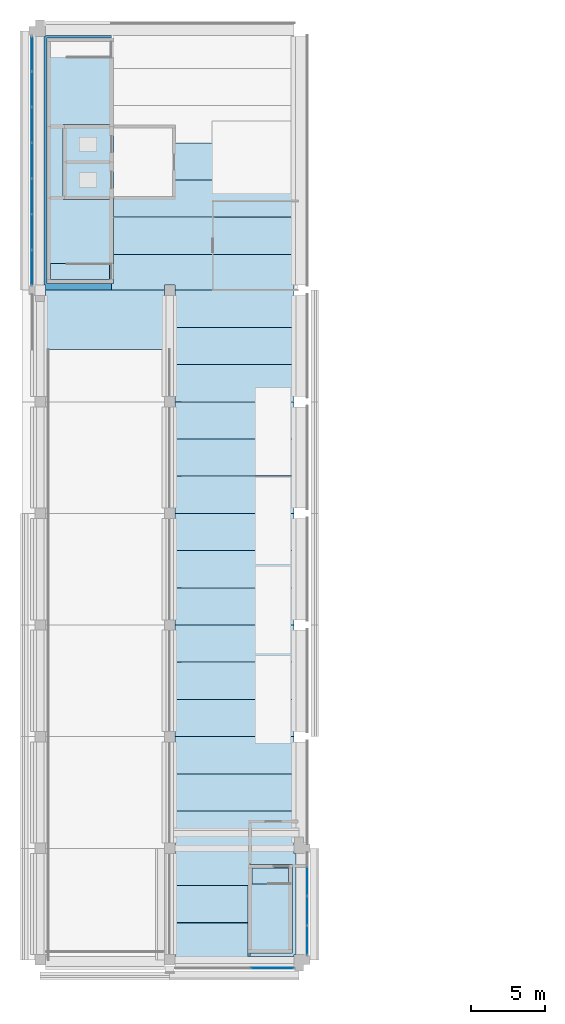
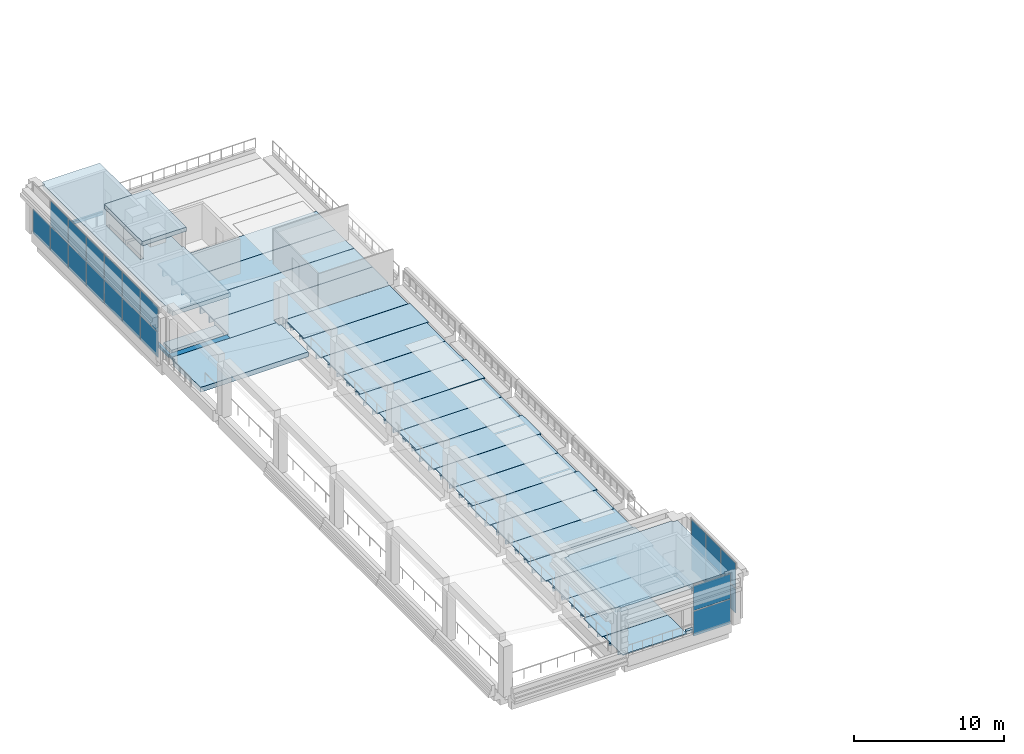
# One storey, part 6 of 17: 30 slabs, 21 plates, 3 elements without a shape of their own.
"""IFC4 building model written with IfcOpenShell, lengths in metres."""

from ifc_helpers import new_model, si_unit, direction, frame, origin, origin_2d, place, context, subcontext, project, spatial, polyline, rectangle, outline, extrude, material, layer, layer_set, material_profile, profile_set, type_object, element, aggregate, save


model = new_model("IFC4")

# Units and contexts
model_context = context("Model", 3, precision=1e-05, world=origin(), true_north=direction((0.0, 1.0)))
body_context = subcontext(model_context, "Body", "Model", "MODEL_VIEW")
ifc_project = project(units=[si_unit("LENGTHUNIT", "METRE"), si_unit("AREAUNIT", "SQUARE_METRE"), si_unit("VOLUMEUNIT", "CUBIC_METRE"), si_unit("PLANEANGLEUNIT", "RADIAN"), si_unit("MASSUNIT", "GRAM", prefix="KILO")], contexts=[model_context])

# Site, building, storey
site_placement = place(None, origin())
site = spatial("IfcSite", under=ifc_project, at=site_placement, CompositionType="ELEMENT")
building_placement = place(site_placement, origin())
building = spatial("IfcBuilding", under=site, at=building_placement, Name="Cour d'Honneur Mobility Palace", CompositionType="ELEMENT")
storey_placement = place(building_placement, frame((0.0, 0.0, 34.10009765625)))
storey = spatial("IfcBuildingStorey", under=building, at=storey_placement, Name="L09", CompositionType="ELEMENT", Elevation=34.10009765625)

# Slabs
ifc_material_1 = material(Name="Concrete C50", Category="concrete")
ifc_layer_1 = layer(ifc_material_1, 0.25)
ifc_layer_set_1 = layer_set([ifc_layer_1], Name="Concrete C50")
slab_type_1 = type_object("IfcSlabType", Name="Cast-in-place Slab 250", PredefinedType="FLOOR", material=ifc_layer_set_1)
slab_1_placement = place(storey_placement, frame((0.0, 0.0, -0.25)))
element("IfcSlab", 1, at=slab_1_placement, inside=storey, type_object=slab_type_1, Name="Cast-in-place slab S1 L09 core", PredefinedType="FLOOR", context=body_context, shape_type="SweptSolid", body=[
    extrude(outline(polyline([(0.35009765625, 45.35009765625), (0.25, 45.35009765625), (0.25, 62.050048828125), (0.35009765625, 62.050048828125), (0.35009765625, 62.125), (4.800048828125, 62.125), (4.800048828125, 61.949951171875), (0.449951171875, 61.949951171875), (0.449951171875, 45.449951171875), (4.800048828125, 45.449951171875), (4.800048828125, 45.0), (0.35009765625, 45.0), (0.35009765625, 45.35009765625)])), origin(), (0.0, 0.0, 1.0), 0.25),
])
slab_2_placement = place(storey_placement, frame((0.0, 0.0, -0.25)))
element("IfcSlab", 2, at=slab_2_placement, inside=storey, type_object=slab_type_1, Name="Cast-in-place slab S1 L09 core", PredefinedType="FLOOR", context=body_context, shape_type="SweptSolid", body=[
    extrude(outline(polyline([(0.699951171875, 45.699951171875), (0.699951171875, 46.77490234375), (4.675048828125, 46.77490234375), (4.675048828125, 45.699951171875), (0.699951171875, 45.699951171875)])), origin(), (0.0, 0.0, 1.0), 0.25),
])
slab_3_placement = place(storey_placement, frame((0.0, 0.0, -0.25)))
element("IfcSlab", 3, at=slab_3_placement, inside=storey, type_object=slab_type_1, Name="Cast-in-place slab S1 L09 stair strip", PredefinedType="FLOOR", context=body_context, shape_type="SweptSolid", body=[
    extrude(outline(polyline([(17.050048828125, 7.14990234375), (17.199951171875, 7.14990234375), (17.199951171875, 0.35009765625), (17.050048828125, 0.35009765625), (17.050048828125, 0.22509765625), (14.10009765625, 0.22509765625), (14.10009765625, 0.449951171875), (16.949951171875, 0.449951171875), (16.949951171875, 6.425048828125), (14.10009765625, 6.425048828125), (14.10009765625, 7.5), (17.050048828125, 7.5), (17.050048828125, 7.14990234375)])), origin(), (0.0, 0.0, 1.0), 0.25),
])
slab_4_placement = place(storey_placement, frame((0.0, 0.0, -0.25)))
element("IfcSlab", 4, at=slab_4_placement, inside=storey, type_object=slab_type_1, Name="Cast-in-place slab S1 L09 stair strip", PredefinedType="FLOOR", context=body_context, shape_type="SweptSolid", body=[
    extrude(outline(polyline([(16.699951171875, 6.175048828125), (16.699951171875, 5.10009765625), (14.22509765625, 5.10009765625), (14.22509765625, 6.175048828125), (16.699951171875, 6.175048828125)])), origin(), (0.0, 0.0, 1.0), 0.25),
])
ifc_material_2 = material(Name="Concrete C50", Category="concrete")
ifc_layer_2 = layer(ifc_material_2, 0.39990234375)
ifc_layer_set_2 = layer_set([ifc_layer_2], Name="Concrete C50")
slab_type_2 = type_object("IfcSlabType", Name="Cast-in-place Slab 400", PredefinedType="LANDING", material=ifc_layer_set_2)
slab_5_placement = place(storey_placement, frame((0.0, 0.0, -0.400146484375)))
element("IfcSlab", 5, at=slab_5_placement, inside=storey, type_object=slab_type_2, Name="Cast-in-place slab S3 L09 landing", PredefinedType="LANDING", context=body_context, shape_type="SweptSolid", body=[
    extrude(outline(polyline([(8.5, 44.64990234375), (8.5, 41.0), (0.199951171875, 41.0), (0.199951171875, 44.64990234375), (0.35009765625, 44.64990234375), (0.35009765625, 45.0), (8.35009765625, 45.0), (8.35009765625, 44.64990234375), (8.5, 44.64990234375)])), origin(), (0.0, 0.0, 1.0), 0.400146484375),
])
ifc_material_3 = material(Name="Concrete C50", Category="concrete")
ifc_layer_3 = layer(ifc_material_3, 0.800048828125)
ifc_layer_set_3 = layer_set([ifc_layer_3], Name="Concrete C50")
slab_type_3 = type_object("IfcSlabType", Name="Cast-in-place Slab 800", PredefinedType="FLOOR", material=ifc_layer_set_3)
slab_6_placement = place(storey_placement, frame((0.0, 0.0, -0.800048828125)))
element("IfcSlab", 6, at=slab_6_placement, inside=storey, type_object=slab_type_3, Name="Cast-in-place slab S2 L09 closure", PredefinedType="FLOOR", context=body_context, shape_type="SweptSolid", body=[
    extrude(outline(polyline([(17.050048828125, 45.35009765625), (17.050048828125, 45.0), (9.050048828125, 45.0), (9.050048828125, 45.35009765625), (8.35009765625, 45.35009765625), (8.35009765625, 45.0), (4.800048828125, 45.0), (4.800048828125, 45.449951171875), (4.925048828125, 45.449951171875), (4.925048828125, 47.39990234375), (17.14990234375, 47.39990234375), (17.14990234375, 45.35009765625), (17.050048828125, 45.35009765625)])), origin(), (0.0, 0.0, 1.0), 0.800048828125),
])

# Curtain wall, plates
ifc_material_4 = material(Name="Aluminium and glass", Category="aluminium")
ifc_layer_4 = layer(ifc_material_4, 0.10009765625)
ifc_layer_set_4 = layer_set([ifc_layer_4], Name="Aluminium and glass")
curtain_wall_type = type_object("IfcCurtainWallType", Name="Curtain wall run", PredefinedType="NOTDEFINED", material=ifc_layer_set_4)
curtain_wall_1_placement = place(storey_placement, origin())
curtain_wall_1 = element("IfcCurtainWall", 7, at=curtain_wall_1_placement, inside=storey, type_object=curtain_wall_type, Name="Curtain wall CW-112", PredefinedType="NOTDEFINED")
ifc_material_5 = material(Name="Double glazing", Category="glass")
ifc_layer_5 = layer(ifc_material_5, 0.028076171875)
ifc_layer_set_5 = layer_set([ifc_layer_5], Name="Double glazing")
plate_type = type_object("IfcPlateType", Name="Curtain wall panel", PredefinedType="CURTAIN_PANEL", material=ifc_layer_set_5)
plate_1_placement = place(storey_placement, frame((-0.550048828125, 60.885009765625, 0.06005859375), z_axis=(0.0, 0.0, 1.0), x_axis=(0.0, -1.0, 0.0)))
plate_1 = element("IfcPlate", 8, at=plate_1_placement, type_object=plate_type, Name="CW-112 panel 1.1", PredefinedType="CURTAIN_PANEL", context=body_context, shape_type="SweptSolid", body=[
    extrude(rectangle(XDim=2.31005859375, YDim=0.028076171875, at=origin_2d()), origin(), (0.0, 0.0, 1.0), 2.010009765625),
])
plate_2_placement = place(storey_placement, frame((-0.550048828125, 58.5, 0.06005859375), z_axis=(0.0, 0.0, 1.0), x_axis=(0.0, -1.0, 0.0)))
plate_2 = element("IfcPlate", 9, at=plate_2_placement, type_object=plate_type, Name="CW-112 panel 2.1", PredefinedType="CURTAIN_PANEL", context=body_context, shape_type="SweptSolid", body=[
    extrude(rectangle(XDim=2.340087890625, YDim=0.028076171875, at=origin_2d()), origin(), (0.0, 0.0, 1.0), 2.010009765625),
])
plate_3_placement = place(storey_placement, frame((-0.550048828125, 58.5, 2.1298828125), z_axis=(0.0, 0.0, 1.0), x_axis=(0.0, -1.0, 0.0)))
plate_3 = element("IfcPlate", 10, at=plate_3_placement, type_object=plate_type, Name="CW-112 panel 2.2", PredefinedType="CURTAIN_PANEL", context=body_context, shape_type="SweptSolid", body=[
    extrude(rectangle(XDim=2.340087890625, YDim=0.028076171875, at=origin_2d()), origin(), (0.0, 0.0, 1.0), 2.010009765625),
])
plate_4_placement = place(storey_placement, frame((-0.550048828125, 56.10009765625, 0.06005859375), z_axis=(0.0, 0.0, 1.0), x_axis=(0.0, -1.0, 0.0)))
plate_4 = element("IfcPlate", 11, at=plate_4_placement, type_object=plate_type, Name="CW-112 panel 3.1", PredefinedType="CURTAIN_PANEL", context=body_context, shape_type="SweptSolid", body=[
    extrude(rectangle(XDim=2.340087890625, YDim=0.028076171875, at=origin_2d()), origin(), (0.0, 0.0, 1.0), 2.010009765625),
])
plate_5_placement = place(storey_placement, frame((-0.550048828125, 56.10009765625, 2.1298828125), z_axis=(0.0, 0.0, 1.0), x_axis=(0.0, -1.0, 0.0)))
plate_5 = element("IfcPlate", 12, at=plate_5_placement, type_object=plate_type, Name="CW-112 panel 3.2", PredefinedType="CURTAIN_PANEL", context=body_context, shape_type="SweptSolid", body=[
    extrude(rectangle(XDim=2.340087890625, YDim=0.028076171875, at=origin_2d()), origin(), (0.0, 0.0, 1.0), 2.010009765625),
])
plate_6_placement = place(storey_placement, frame((-0.550048828125, 53.699951171875, 0.06005859375), z_axis=(0.0, 0.0, 1.0), x_axis=(0.0, -1.0, 0.0)))
plate_6 = element("IfcPlate", 13, at=plate_6_placement, type_object=plate_type, Name="CW-112 panel 4.1", PredefinedType="CURTAIN_PANEL", context=body_context, shape_type="SweptSolid", body=[
    extrude(rectangle(XDim=2.340087890625, YDim=0.028076171875, at=origin_2d()), origin(), (0.0, 0.0, 1.0), 2.010009765625),
])
plate_7_placement = place(storey_placement, frame((-0.550048828125, 53.699951171875, 2.1298828125), z_axis=(0.0, 0.0, 1.0), x_axis=(0.0, -1.0, 0.0)))
plate_7 = element("IfcPlate", 14, at=plate_7_placement, type_object=plate_type, Name="CW-112 panel 4.2", PredefinedType="CURTAIN_PANEL", context=body_context, shape_type="SweptSolid", body=[
    extrude(rectangle(XDim=2.340087890625, YDim=0.028076171875, at=origin_2d()), origin(), (0.0, 0.0, 1.0), 2.010009765625),
])
plate_8_placement = place(storey_placement, frame((-0.550048828125, 51.300048828125, 0.06005859375), z_axis=(0.0, 0.0, 1.0), x_axis=(0.0, -1.0, 0.0)))
plate_8 = element("IfcPlate", 15, at=plate_8_placement, type_object=plate_type, Name="CW-112 panel 5.1", PredefinedType="CURTAIN_PANEL", context=body_context, shape_type="SweptSolid", body=[
    extrude(rectangle(XDim=2.340087890625, YDim=0.028076171875, at=origin_2d()), origin(), (0.0, 0.0, 1.0), 2.010009765625),
])
plate_9_placement = place(storey_placement, frame((-0.550048828125, 51.300048828125, 2.1298828125), z_axis=(0.0, 0.0, 1.0), x_axis=(0.0, -1.0, 0.0)))
plate_9 = element("IfcPlate", 16, at=plate_9_placement, type_object=plate_type, Name="CW-112 panel 5.2", PredefinedType="CURTAIN_PANEL", context=body_context, shape_type="SweptSolid", body=[
    extrude(rectangle(XDim=2.340087890625, YDim=0.028076171875, at=origin_2d()), origin(), (0.0, 0.0, 1.0), 2.010009765625),
])
plate_10_placement = place(storey_placement, frame((-0.550048828125, 48.89990234375, 0.06005859375), z_axis=(0.0, 0.0, 1.0), x_axis=(0.0, -1.0, 0.0)))
plate_10 = element("IfcPlate", 17, at=plate_10_placement, type_object=plate_type, Name="CW-112 panel 6.1", PredefinedType="CURTAIN_PANEL", context=body_context, shape_type="SweptSolid", body=[
    extrude(rectangle(XDim=2.340087890625, YDim=0.028076171875, at=origin_2d()), origin(), (0.0, 0.0, 1.0), 2.010009765625),
])
plate_11_placement = place(storey_placement, frame((-0.550048828125, 48.89990234375, 2.1298828125), z_axis=(0.0, 0.0, 1.0), x_axis=(0.0, -1.0, 0.0)))
plate_11 = element("IfcPlate", 18, at=plate_11_placement, type_object=plate_type, Name="CW-112 panel 6.2", PredefinedType="CURTAIN_PANEL", context=body_context, shape_type="SweptSolid", body=[
    extrude(rectangle(XDim=2.340087890625, YDim=0.028076171875, at=origin_2d()), origin(), (0.0, 0.0, 1.0), 2.010009765625),
])
plate_12_placement = place(storey_placement, frame((-0.550048828125, 46.514892578125, 0.06005859375), z_axis=(0.0, 0.0, 1.0), x_axis=(0.0, -1.0, 0.0)))
plate_12 = element("IfcPlate", 19, at=plate_12_placement, type_object=plate_type, Name="CW-112 panel 7.1", PredefinedType="CURTAIN_PANEL", context=body_context, shape_type="SweptSolid", body=[
    extrude(rectangle(XDim=2.31005859375, YDim=0.028076171875, at=origin_2d()), origin(), (0.0, 0.0, 1.0), 2.010009765625),
])
plate_13_placement = place(storey_placement, frame((-0.550048828125, 46.514892578125, 2.1298828125), z_axis=(0.0, 0.0, 1.0), x_axis=(0.0, -1.0, 0.0)))
plate_13 = element("IfcPlate", 20, at=plate_13_placement, type_object=plate_type, Name="CW-112 panel 7.2", PredefinedType="CURTAIN_PANEL", context=body_context, shape_type="SweptSolid", body=[
    extrude(rectangle(XDim=2.31005859375, YDim=0.028076171875, at=origin_2d()), origin(), (0.0, 0.0, 1.0), 2.010009765625),
])
aggregate(curtain_wall_1, [plate_1, plate_2, plate_3, plate_4, plate_5, plate_6, plate_7, plate_8, plate_9, plate_10, plate_11, plate_12, plate_13])

curtain_wall_2_placement = place(storey_placement, origin())
curtain_wall_2 = element("IfcCurtainWall", 21, at=curtain_wall_2_placement, inside=storey, type_object=curtain_wall_type, Name="Curtain wall CW-169", PredefinedType="NOTDEFINED")
plate_14_placement = place(storey_placement, frame((15.60009765625, -0.550048828125, 0.06005859375), z_axis=(0.0, 0.0, 1.0), x_axis=(1.0, 0.0, 0.0)))
plate_14 = element("IfcPlate", 22, at=plate_14_placement, type_object=plate_type, Name="CW-169 panel 1.1", PredefinedType="CURTAIN_PANEL", context=body_context, shape_type="SweptSolid", body=[
    extrude(rectangle(XDim=2.8798828125, YDim=0.028076171875, at=origin_2d()), origin(), (0.0, 0.0, 1.0), 2.010009765625),
])
plate_15_placement = place(storey_placement, frame((15.60009765625, -0.550048828125, 2.1298828125), z_axis=(0.0, 0.0, 1.0), x_axis=(1.0, 0.0, 0.0)))
plate_15 = element("IfcPlate", 23, at=plate_15_placement, type_object=plate_type, Name="CW-169 panel 1.2", PredefinedType="CURTAIN_PANEL", context=body_context, shape_type="SweptSolid", body=[
    extrude(rectangle(XDim=2.8798828125, YDim=0.028076171875, at=origin_2d()), origin(), (0.0, 0.0, 1.0), 2.010009765625),
])
aggregate(curtain_wall_2, [plate_14, plate_15])

curtain_wall_3_placement = place(storey_placement, origin())
curtain_wall_3 = element("IfcCurtainWall", 24, at=curtain_wall_3_placement, inside=storey, type_object=curtain_wall_type, Name="Curtain wall CW-170", PredefinedType="NOTDEFINED")
plate_16_placement = place(storey_placement, frame((17.949951171875, 1.31494140625, 0.06005859375), z_axis=(0.0, 0.0, 1.0), x_axis=(0.0, 1.0, 0.0)))
plate_16 = element("IfcPlate", 25, at=plate_16_placement, type_object=plate_type, Name="CW-170 panel 1.1", PredefinedType="CURTAIN_PANEL", context=body_context, shape_type="SweptSolid", body=[
    extrude(rectangle(XDim=1.909912109375, YDim=0.028076171875, at=origin_2d()), origin(), (0.0, 0.0, 1.0), 2.010009765625),
])
plate_17_placement = place(storey_placement, frame((17.949951171875, 1.31494140625, 2.1298828125), z_axis=(0.0, 0.0, 1.0), x_axis=(0.0, 1.0, 0.0)))
plate_17 = element("IfcPlate", 26, at=plate_17_placement, type_object=plate_type, Name="CW-170 panel 1.2", PredefinedType="CURTAIN_PANEL", context=body_context, shape_type="SweptSolid", body=[
    extrude(rectangle(XDim=1.909912109375, YDim=0.028076171875, at=origin_2d()), origin(), (0.0, 0.0, 1.0), 2.010009765625),
])
plate_18_placement = place(storey_placement, frame((17.949951171875, 3.300048828125, 0.06005859375), z_axis=(0.0, 0.0, 1.0), x_axis=(0.0, 1.0, 0.0)))
plate_18 = element("IfcPlate", 27, at=plate_18_placement, type_object=plate_type, Name="CW-170 panel 2.1", PredefinedType="CURTAIN_PANEL", context=body_context, shape_type="SweptSolid", body=[
    extrude(rectangle(XDim=1.93994140625, YDim=0.028076171875, at=origin_2d()), origin(), (0.0, 0.0, 1.0), 2.010009765625),
])
plate_19_placement = place(storey_placement, frame((17.949951171875, 3.300048828125, 2.1298828125), z_axis=(0.0, 0.0, 1.0), x_axis=(0.0, 1.0, 0.0)))
plate_19 = element("IfcPlate", 28, at=plate_19_placement, type_object=plate_type, Name="CW-170 panel 2.2", PredefinedType="CURTAIN_PANEL", context=body_context, shape_type="SweptSolid", body=[
    extrude(rectangle(XDim=1.93994140625, YDim=0.028076171875, at=origin_2d()), origin(), (0.0, 0.0, 1.0), 2.010009765625),
])
plate_20_placement = place(storey_placement, frame((17.949951171875, 5.284912109375, 0.06005859375), z_axis=(0.0, 0.0, 1.0), x_axis=(0.0, 1.0, 0.0)))
plate_20 = element("IfcPlate", 29, at=plate_20_placement, type_object=plate_type, Name="CW-170 panel 3.1", PredefinedType="CURTAIN_PANEL", context=body_context, shape_type="SweptSolid", body=[
    extrude(rectangle(XDim=1.909912109375, YDim=0.028076171875, at=origin_2d()), origin(), (0.0, 0.0, 1.0), 2.010009765625),
])
plate_21_placement = place(storey_placement, frame((17.949951171875, 5.284912109375, 2.1298828125), z_axis=(0.0, 0.0, 1.0), x_axis=(0.0, 1.0, 0.0)))
plate_21 = element("IfcPlate", 30, at=plate_21_placement, type_object=plate_type, Name="CW-170 panel 3.2", PredefinedType="CURTAIN_PANEL", context=body_context, shape_type="SweptSolid", body=[
    extrude(rectangle(XDim=1.909912109375, YDim=0.028076171875, at=origin_2d()), origin(), (0.0, 0.0, 1.0), 2.010009765625),
])
aggregate(curtain_wall_3, [plate_16, plate_17, plate_18, plate_19, plate_20, plate_21])

# Slabs
ifc_material_6 = material(Name="Concrete C45", Category="concrete")
ifc_material_profile_1 = material_profile(ifc_material_6, outline(polyline([(-1.2451171875, 0.0), (1.2451171875, 0.0), (1.2451171875, -0.074951171875), (0.659912109375, -0.074951171875), (0.639892578125, -0.39990234375), (0.56005859375, -0.39990234375), (0.5400390625, -0.074951171875), (-0.5400390625, -0.074951171875), (-0.56005859375, -0.39990234375), (-0.639892578125, -0.39990234375), (-0.659912109375, -0.074951171875), (-1.2451171875, -0.074951171875), (-1.2451171875, 0.0)])), Name="DT 2490x400")
ifc_profile_set_1 = profile_set([ifc_material_profile_1], Name="Concrete C45")
slab_type_4 = type_object("IfcSlabType", Name="DT 2490x400", PredefinedType="FLOOR", material=ifc_profile_set_1)
slab_7_placement = place(storey_placement, frame((9.050048828125, 1.25, 0.0), z_axis=(1.0, 0.0, 0.0), x_axis=(0.0, 1.0, 0.0)))
element("IfcSlab", 31, at=slab_7_placement, inside=storey, type_object=slab_type_4, Name="Double tee DT-SW1 L09", PredefinedType="FLOOR", context=body_context, shape_type="SweptSolid", body=[
    extrude(outline(polyline([(-1.2451171875, 0.0), (1.2451171875, 0.0), (1.2451171875, -0.074951171875), (0.659912109375, -0.074951171875), (0.639892578125, -0.39990234375), (0.56005859375, -0.39990234375), (0.5400390625, -0.074951171875), (-0.5400390625, -0.074951171875), (-0.56005859375, -0.39990234375), (-0.639892578125, -0.39990234375), (-0.659912109375, -0.074951171875), (-1.2451171875, -0.074951171875), (-1.2451171875, 0.0)])), origin(), (0.0, 0.0, 1.0), 4.925048828125),
])
slab_8_placement = place(storey_placement, frame((8.89990234375, 3.75, 0.0), z_axis=(1.0, 0.0, 0.0), x_axis=(0.0, 1.0, 0.0)))
element("IfcSlab", 32, at=slab_8_placement, inside=storey, type_object=slab_type_4, Name="Double tee DT-SW2 L09", PredefinedType="FLOOR", context=body_context, shape_type="SweptSolid", body=[
    extrude(outline(polyline([(-1.2451171875, 0.0), (1.2451171875, 0.0), (1.2451171875, -0.074951171875), (0.659912109375, -0.074951171875), (0.639892578125, -0.39990234375), (0.56005859375, -0.39990234375), (0.5400390625, -0.074951171875), (-0.5400390625, -0.074951171875), (-0.56005859375, -0.39990234375), (-0.639892578125, -0.39990234375), (-0.659912109375, -0.074951171875), (-1.2451171875, -0.074951171875), (-1.2451171875, 0.0)])), origin(), (0.0, 0.0, 1.0), 5.0751953125),
])
slab_9_placement = place(storey_placement, frame((9.050048828125, 6.25, 0.0), z_axis=(1.0, 0.0, 0.0), x_axis=(0.0, 1.0, 0.0)))
element("IfcSlab", 33, at=slab_9_placement, inside=storey, type_object=slab_type_4, Name="Double tee DT-SW3 L09", PredefinedType="FLOOR", context=body_context, shape_type="SweptSolid", body=[
    extrude(outline(polyline([(-1.2451171875, 0.0), (1.2451171875, 0.0), (1.2451171875, -0.074951171875), (0.659912109375, -0.074951171875), (0.639892578125, -0.39990234375), (0.56005859375, -0.39990234375), (0.5400390625, -0.074951171875), (-0.5400390625, -0.074951171875), (-0.56005859375, -0.39990234375), (-0.639892578125, -0.39990234375), (-0.659912109375, -0.074951171875), (-1.2451171875, -0.074951171875), (-1.2451171875, 0.0)])), origin(), (0.0, 0.0, 1.0), 5.050048828125),
])
ifc_material_7 = material(Name="Concrete C45", Category="concrete")
ifc_material_profile_2 = material_profile(ifc_material_7, outline(polyline([(-1.2451171875, 0.0), (1.2451171875, 0.0), (1.2451171875, -0.10009765625), (0.669921875, -0.10009765625), (0.64501953125, -0.5), (0.554931640625, -0.5), (0.530029296875, -0.10009765625), (-0.530029296875, -0.10009765625), (-0.554931640625, -0.5), (-0.64501953125, -0.5), (-0.669921875, -0.10009765625), (-1.2451171875, -0.10009765625), (-1.2451171875, 0.0)])), Name="DT 2490x500")
ifc_profile_set_2 = profile_set([ifc_material_profile_2], Name="Concrete C45")
slab_type_5 = type_object("IfcSlabType", Name="DT 2490x500", PredefinedType="FLOOR", material=ifc_profile_set_2)
slab_10_placement = place(storey_placement, frame((9.050048828125, 8.75, 0.0), z_axis=(1.0, 0.0, 0.0), x_axis=(0.0, 1.0, 0.0)))
element("IfcSlab", 34, at=slab_10_placement, inside=storey, type_object=slab_type_5, Name="Double tee DT-SW4 L09", PredefinedType="FLOOR", context=body_context, shape_type="SweptSolid", body=[
    extrude(outline(polyline([(-1.2451171875, 0.0), (1.2451171875, 0.0), (1.2451171875, -0.10009765625), (0.669921875, -0.10009765625), (0.64501953125, -0.5), (0.554931640625, -0.5), (0.530029296875, -0.10009765625), (-0.530029296875, -0.10009765625), (-0.554931640625, -0.5), (-0.64501953125, -0.5), (-0.669921875, -0.10009765625), (-1.2451171875, -0.10009765625), (-1.2451171875, 0.0)])), origin(), (0.0, 0.0, 1.0), 8.0),
])
slab_11_placement = place(storey_placement, frame((8.89990234375, 11.25, 0.0), z_axis=(1.0, 0.0, 0.0), x_axis=(0.0, 1.0, 0.0)))
element("IfcSlab", 35, at=slab_11_placement, inside=storey, type_object=slab_type_5, Name="Double tee DT-SW5 L09", PredefinedType="FLOOR", context=body_context, shape_type="SweptSolid", body=[
    extrude(outline(polyline([(-1.2451171875, 0.0), (1.2451171875, 0.0), (1.2451171875, -0.10009765625), (0.669921875, -0.10009765625), (0.64501953125, -0.5), (0.554931640625, -0.5), (0.530029296875, -0.10009765625), (-0.530029296875, -0.10009765625), (-0.554931640625, -0.5), (-0.64501953125, -0.5), (-0.669921875, -0.10009765625), (-1.2451171875, -0.10009765625), (-1.2451171875, 0.0)])), origin(), (0.0, 0.0, 1.0), 8.300048828125),
])
for number, where, z_axis, x_axis, name in (
    (36, (9.050048828125, 13.75, 0.0), (1.0, 0.0, 0.0), (0.0, 1.0, 0.0), "Double tee DT-SW6 L09"),
    (37, (9.050048828125, 16.25, 0.0), (1.0, 0.0, 0.0), (0.0, 1.0, 0.0), "Double tee DT-SW7 L09"),
):
    element("IfcSlab", number, at=place(storey_placement, frame(where, z_axis=z_axis, x_axis=x_axis)), inside=storey, type_object=slab_type_5, Name=name, PredefinedType="FLOOR", context=body_context, shape_type="SweptSolid", body=[
        extrude(outline(polyline([(-1.2451171875, 0.0), (1.2451171875, 0.0), (1.2451171875, -0.10009765625), (0.669921875, -0.10009765625), (0.64501953125, -0.5), (0.554931640625, -0.5), (0.530029296875, -0.10009765625), (-0.530029296875, -0.10009765625), (-0.554931640625, -0.5), (-0.64501953125, -0.5), (-0.669921875, -0.10009765625), (-1.2451171875, -0.10009765625), (-1.2451171875, 0.0)])), origin(), (0.0, 0.0, 1.0), 8.0),
    ])
slab_12_placement = place(storey_placement, frame((8.89990234375, 18.75, 0.0), z_axis=(1.0, 0.0, 0.0), x_axis=(0.0, 1.0, 0.0)))
element("IfcSlab", 38, at=slab_12_placement, inside=storey, type_object=slab_type_5, Name="Double tee DT-SW8 L09", PredefinedType="FLOOR", context=body_context, shape_type="SweptSolid", body=[
    extrude(outline(polyline([(-1.2451171875, 0.0), (1.2451171875, 0.0), (1.2451171875, -0.10009765625), (0.669921875, -0.10009765625), (0.64501953125, -0.5), (0.554931640625, -0.5), (0.530029296875, -0.10009765625), (-0.530029296875, -0.10009765625), (-0.554931640625, -0.5), (-0.64501953125, -0.5), (-0.669921875, -0.10009765625), (-1.2451171875, -0.10009765625), (-1.2451171875, 0.0)])), origin(), (0.0, 0.0, 1.0), 8.300048828125),
])
for number, where, z_axis, x_axis, name in (
    (39, (9.050048828125, 21.25, 0.0), (1.0, 0.0, 0.0), (0.0, 1.0, 0.0), "Double tee DT-SW9 L09"),
    (40, (9.050048828125, 23.75, 0.0), (1.0, 0.0, 0.0), (0.0, 1.0, 0.0), "Double tee DT-SW10 L09"),
):
    element("IfcSlab", number, at=place(storey_placement, frame(where, z_axis=z_axis, x_axis=x_axis)), inside=storey, type_object=slab_type_5, Name=name, PredefinedType="FLOOR", context=body_context, shape_type="SweptSolid", body=[
        extrude(outline(polyline([(-1.2451171875, 0.0), (1.2451171875, 0.0), (1.2451171875, -0.10009765625), (0.669921875, -0.10009765625), (0.64501953125, -0.5), (0.554931640625, -0.5), (0.530029296875, -0.10009765625), (-0.530029296875, -0.10009765625), (-0.554931640625, -0.5), (-0.64501953125, -0.5), (-0.669921875, -0.10009765625), (-1.2451171875, -0.10009765625), (-1.2451171875, 0.0)])), origin(), (0.0, 0.0, 1.0), 8.0),
    ])
slab_13_placement = place(storey_placement, frame((8.89990234375, 26.25, 0.0), z_axis=(1.0, 0.0, 0.0), x_axis=(0.0, 1.0, 0.0)))
element("IfcSlab", 41, at=slab_13_placement, inside=storey, type_object=slab_type_5, Name="Double tee DT-SW11 L09", PredefinedType="FLOOR", context=body_context, shape_type="SweptSolid", body=[
    extrude(outline(polyline([(-1.2451171875, 0.0), (1.2451171875, 0.0), (1.2451171875, -0.10009765625), (0.669921875, -0.10009765625), (0.64501953125, -0.5), (0.554931640625, -0.5), (0.530029296875, -0.10009765625), (-0.530029296875, -0.10009765625), (-0.554931640625, -0.5), (-0.64501953125, -0.5), (-0.669921875, -0.10009765625), (-1.2451171875, -0.10009765625), (-1.2451171875, 0.0)])), origin(), (0.0, 0.0, 1.0), 8.300048828125),
])
for number, where, z_axis, x_axis, name in (
    (42, (9.050048828125, 28.75, 0.0), (1.0, 0.0, 0.0), (0.0, 1.0, 0.0), "Double tee DT-SW12 L09"),
    (43, (9.050048828125, 31.25, 0.0), (1.0, 0.0, 0.0), (0.0, 1.0, 0.0), "Double tee DT-SW13 L09"),
):
    element("IfcSlab", number, at=place(storey_placement, frame(where, z_axis=z_axis, x_axis=x_axis)), inside=storey, type_object=slab_type_5, Name=name, PredefinedType="FLOOR", context=body_context, shape_type="SweptSolid", body=[
        extrude(outline(polyline([(-1.2451171875, 0.0), (1.2451171875, 0.0), (1.2451171875, -0.10009765625), (0.669921875, -0.10009765625), (0.64501953125, -0.5), (0.554931640625, -0.5), (0.530029296875, -0.10009765625), (-0.530029296875, -0.10009765625), (-0.554931640625, -0.5), (-0.64501953125, -0.5), (-0.669921875, -0.10009765625), (-1.2451171875, -0.10009765625), (-1.2451171875, 0.0)])), origin(), (0.0, 0.0, 1.0), 8.0),
    ])
slab_14_placement = place(storey_placement, frame((8.89990234375, 33.75, 0.0), z_axis=(1.0, 0.0, 0.0), x_axis=(0.0, 1.0, 0.0)))
element("IfcSlab", 44, at=slab_14_placement, inside=storey, type_object=slab_type_5, Name="Double tee DT-SW14 L09", PredefinedType="FLOOR", context=body_context, shape_type="SweptSolid", body=[
    extrude(outline(polyline([(-1.2451171875, 0.0), (1.2451171875, 0.0), (1.2451171875, -0.10009765625), (0.669921875, -0.10009765625), (0.64501953125, -0.5), (0.554931640625, -0.5), (0.530029296875, -0.10009765625), (-0.530029296875, -0.10009765625), (-0.554931640625, -0.5), (-0.64501953125, -0.5), (-0.669921875, -0.10009765625), (-1.2451171875, -0.10009765625), (-1.2451171875, 0.0)])), origin(), (0.0, 0.0, 1.0), 8.300048828125),
])
for number, where, z_axis, x_axis, name in (
    (45, (9.050048828125, 36.25, 0.0), (1.0, 0.0, 0.0), (0.0, 1.0, 0.0), "Double tee DT-SW15 L09"),
    (46, (9.050048828125, 38.75, 0.0), (1.0, 0.0, 0.0), (0.0, 1.0, 0.0), "Double tee DT-SW16 L09"),
):
    element("IfcSlab", number, at=place(storey_placement, frame(where, z_axis=z_axis, x_axis=x_axis)), inside=storey, type_object=slab_type_5, Name=name, PredefinedType="FLOOR", context=body_context, shape_type="SweptSolid", body=[
        extrude(outline(polyline([(-1.2451171875, 0.0), (1.2451171875, 0.0), (1.2451171875, -0.10009765625), (0.669921875, -0.10009765625), (0.64501953125, -0.5), (0.554931640625, -0.5), (0.530029296875, -0.10009765625), (-0.530029296875, -0.10009765625), (-0.554931640625, -0.5), (-0.64501953125, -0.5), (-0.669921875, -0.10009765625), (-1.2451171875, -0.10009765625), (-1.2451171875, 0.0)])), origin(), (0.0, 0.0, 1.0), 8.0),
    ])
slab_15_placement = place(storey_placement, frame((8.89990234375, 41.25, 0.0), z_axis=(1.0, 0.0, 0.0), x_axis=(0.0, 1.0, 0.0)))
element("IfcSlab", 47, at=slab_15_placement, inside=storey, type_object=slab_type_5, Name="Double tee DT-SW17 L09", PredefinedType="FLOOR", context=body_context, shape_type="SweptSolid", body=[
    extrude(outline(polyline([(-1.2451171875, 0.0), (1.2451171875, 0.0), (1.2451171875, -0.10009765625), (0.669921875, -0.10009765625), (0.64501953125, -0.5), (0.554931640625, -0.5), (0.530029296875, -0.10009765625), (-0.530029296875, -0.10009765625), (-0.554931640625, -0.5), (-0.64501953125, -0.5), (-0.669921875, -0.10009765625), (-1.2451171875, -0.10009765625), (-1.2451171875, 0.0)])), origin(), (0.0, 0.0, 1.0), 8.300048828125),
])
slab_16_placement = place(storey_placement, frame((9.050048828125, 43.75, 0.0), z_axis=(1.0, 0.0, 0.0), x_axis=(0.0, 1.0, 0.0)))
element("IfcSlab", 48, at=slab_16_placement, inside=storey, type_object=slab_type_5, Name="Double tee DT-SW18 L09", PredefinedType="FLOOR", context=body_context, shape_type="SweptSolid", body=[
    extrude(outline(polyline([(-1.2451171875, 0.0), (1.2451171875, 0.0), (1.2451171875, -0.10009765625), (0.669921875, -0.10009765625), (0.64501953125, -0.5), (0.554931640625, -0.5), (0.530029296875, -0.10009765625), (-0.530029296875, -0.10009765625), (-0.554931640625, -0.5), (-0.64501953125, -0.5), (-0.669921875, -0.10009765625), (-1.2451171875, -0.10009765625), (-1.2451171875, 0.0)])), origin(), (0.0, 0.0, 1.0), 8.0),
])
ifc_material_8 = material(Name="Concrete C45", Category="concrete")
ifc_material_profile_3 = material_profile(ifc_material_8, outline(polyline([(-1.2451171875, 0.0), (1.2451171875, 0.0), (1.2451171875, -0.10009765625), (0.679931640625, -0.10009765625), (0.64990234375, -0.64990234375), (0.550048828125, -0.64990234375), (0.52001953125, -0.10009765625), (-0.52001953125, -0.10009765625), (-0.550048828125, -0.64990234375), (-0.64990234375, -0.64990234375), (-0.679931640625, -0.10009765625), (-1.2451171875, -0.10009765625), (-1.2451171875, 0.0)])), Name="DT 2490x650")
ifc_profile_set_3 = profile_set([ifc_material_profile_3], Name="Concrete C45")
slab_type_6 = type_object("IfcSlabType", Name="DT 2490x650", PredefinedType="FLOOR", material=ifc_profile_set_3)
for number, where, z_axis, x_axis, name in (
    (49, (4.925048828125, 48.64990234375, 0.0), (1.0, 0.0, 0.0), (0.0, 1.0, 0.0), "Double tee DT-JW1 L09"),
    (50, (4.925048828125, 51.14990234375, 0.0), (1.0, 0.0, 0.0), (0.0, 1.0, 0.0), "Double tee DT-JW2 L09"),
    (51, (4.925048828125, 53.64990234375, 0.0), (1.0, 0.0, 0.0), (0.0, 1.0, 0.0), "Double tee DT-JW3 L09"),
):
    element("IfcSlab", number, at=place(storey_placement, frame(where, z_axis=z_axis, x_axis=x_axis)), inside=storey, type_object=slab_type_6, Name=name, PredefinedType="FLOOR", context=body_context, shape_type="SweptSolid", body=[
        extrude(outline(polyline([(-1.2451171875, 0.0), (1.2451171875, 0.0), (1.2451171875, -0.10009765625), (0.679931640625, -0.10009765625), (0.64990234375, -0.64990234375), (0.550048828125, -0.64990234375), (0.52001953125, -0.10009765625), (-0.52001953125, -0.10009765625), (-0.550048828125, -0.64990234375), (-0.64990234375, -0.64990234375), (-0.679931640625, -0.10009765625), (-1.2451171875, -0.10009765625), (-1.2451171875, 0.0)])), origin(), (0.0, 0.0, 1.0), 12.224853515625),
    ])
ifc_material_9 = material(Name="Concrete C50", Category="concrete")
ifc_layer_6 = layer(ifc_material_9, 0.35009765625)
ifc_layer_set_6 = layer_set([ifc_layer_6], Name="Concrete C50")
slab_type_7 = type_object("IfcSlabType", Name="Overrun Roof Slab 350", PredefinedType="ROOF", material=ifc_layer_set_6)
slab_17_placement = place(storey_placement, frame((0.0, 0.0, 4.949951171875)))
element("IfcSlab", 52, at=slab_17_placement, inside=storey, type_object=slab_type_7, Name="Lift overrun roof CW", PredefinedType="ROOF", context=body_context, shape_type="SweptSolid", body=[
    extrude(outline(polyline([(1.52490234375, 51.074951171875), (1.52490234375, 56.125), (4.925048828125, 56.125), (4.925048828125, 51.074951171875), (1.52490234375, 51.074951171875)])), origin(), (0.0, 0.0, 1.0), 0.349853515625),
])
ifc_material_10 = material(Name="Concrete C50", Category="concrete")
ifc_layer_7 = layer(ifc_material_10, 0.35009765625)
ifc_layer_set_7 = layer_set([ifc_layer_7], Name="Concrete C50")
slab_type_8 = type_object("IfcSlabType", Name="Roof Slab 350", PredefinedType="ROOF", material=ifc_layer_set_7)
slab_18_placement = place(storey_placement, frame((0.0, 0.0, 3.349853515625)))
element("IfcSlab", 53, at=slab_18_placement, inside=storey, type_object=slab_type_8, Name="Pavilion roof slab SWP", PredefinedType="ROOF", context=body_context, shape_type="SweptSolid", body=[
    extrude(outline(polyline([(17.050048828125, 0.35009765625), (17.050048828125, 0.22509765625), (9.050048828125, 0.22509765625), (9.050048828125, 0.35009765625), (8.699951171875, 0.35009765625), (8.699951171875, 7.14990234375), (9.050048828125, 7.14990234375), (9.050048828125, 7.27490234375), (17.050048828125, 7.27490234375), (17.050048828125, 7.14990234375), (17.39990234375, 7.14990234375), (17.39990234375, 0.35009765625), (17.050048828125, 0.35009765625)])), origin(), (0.0, 0.0, 1.0), 0.35009765625),
])
slab_19_placement = place(storey_placement, frame((0.0, 0.0, 3.349853515625)))
element("IfcSlab", 54, at=slab_19_placement, inside=storey, type_object=slab_type_8, Name="Pavilion roof slab JWP", PredefinedType="ROOF", context=body_context, shape_type="SweptSolid", body=[
    extrude(outline(polyline([(0.35009765625, 45.0), (0.35009765625, 45.35009765625), (0.27490234375, 45.35009765625), (0.27490234375, 62.050048828125), (0.35009765625, 62.050048828125), (0.35009765625, 62.39990234375), (4.800048828125, 62.39990234375), (4.800048828125, 56.0), (4.675048828125, 56.0), (4.675048828125, 53.72509765625), (1.77490234375, 53.72509765625), (1.77490234375, 55.875), (1.52490234375, 55.875), (1.52490234375, 51.324951171875), (1.77490234375, 51.324951171875), (1.77490234375, 53.47509765625), (4.675048828125, 53.47509765625), (4.675048828125, 51.199951171875), (4.800048828125, 51.199951171875), (4.800048828125, 45.0), (0.35009765625, 45.0)])), origin(), (0.0, 0.0, 1.0), 0.35009765625),
])

save(model, "model.ifc")
